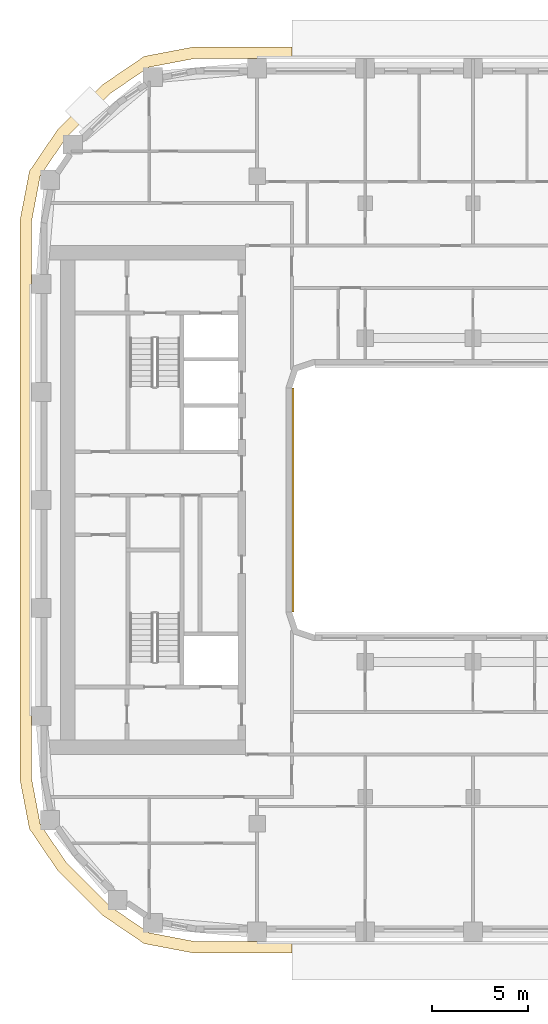
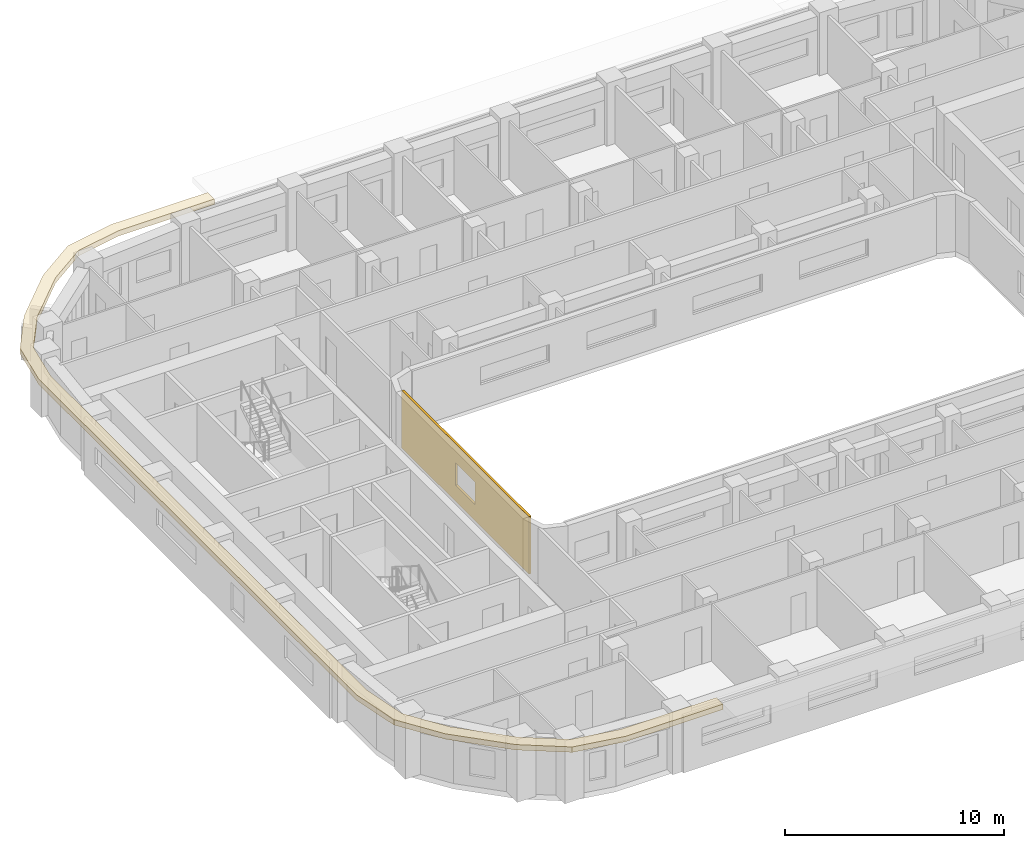
# One storey, part 14 of 22: 2 coverings.
"""IFC4 building model written with IfcOpenShell, lengths in metres."""

from ifc_helpers import new_model, si_unit, direction, frame, origin, place, context, subcontext, project, spatial, polyline, outline, extrude, material, layer, layer_set, type_object, element, save


model = new_model("IFC4")

# Units and contexts
model_context = context("Model", 3, precision=1e-05, world=origin(), true_north=direction((0.0, 1.0)))
body_context = subcontext(model_context, "Body", "Model", "MODEL_VIEW")
ifc_project = project(units=[si_unit("LENGTHUNIT", "METRE"), si_unit("AREAUNIT", "SQUARE_METRE"), si_unit("VOLUMEUNIT", "CUBIC_METRE"), si_unit("PLANEANGLEUNIT", "RADIAN"), si_unit("MASSUNIT", "GRAM", prefix="KILO")], contexts=[model_context])

# Site, building, storey
site_placement = place(None, origin())
site = spatial("IfcSite", under=ifc_project, at=site_placement, CompositionType="ELEMENT")
building_placement = place(site_placement, origin())
building = spatial("IfcBuilding", under=site, at=building_placement, Name="Kiln Ring Residences", CompositionType="ELEMENT")
storey_placement = place(building_placement, frame((0.0, 0.0, 167.60009765625)))
storey = spatial("IfcBuildingStorey", under=building, at=storey_placement, Name="L43", CompositionType="ELEMENT", Elevation=167.60009765625)

# Coverings
ifc_material_1 = material(Name="Brick masonry, dark clay brick", Category="masonry")
ifc_layer_1 = layer(ifc_material_1, 0.1201171875)
ifc_layer_set_1 = layer_set([ifc_layer_1], Name="RAINSCREEN PANEL 120")
covering_type_1 = type_object("IfcCoveringType", Name="RAINSCREEN PANEL 120", PredefinedType="CLADDING", material=ifc_layer_set_1)
covering_1_placement = place(storey_placement, frame((-14.93994140625, -5.800048828125, 0.0), z_axis=(0.0, 0.0, 1.0), x_axis=(0.0, 1.0, 0.0)))
element("IfcCovering", 1, at=covering_1_placement, inside=storey, type_object=covering_type_1, Name="RAINSCREEN L43", PredefinedType="CLADDING", context=body_context, shape_type="SweptSolid", body=[
    extrude(outline(polyline([(0.0, 0.0), (11.60009765625, 0.0), (11.60009765625, 3.199951171875), (0.0, 3.199951171875), (0.0, 0.0)]), holes=[polyline([(4.89990234375, 2.14990234375), (4.89990234375, 0.89990234375), (6.699951171875, 0.89990234375), (6.699951171875, 2.14990234375), (4.89990234375, 2.14990234375)])]), frame((0.0, 0.06005859375, 0.0), z_axis=(0.0, -1.0, 0.0), x_axis=(1.0, 0.0, 0.0)), (0.0, 0.0, 1.0), 0.1201171875),
])
ifc_material_2 = material(Name="Black powder-coated steel", Category="steel")
ifc_layer_2 = layer(ifc_material_2, 0.300048828125)
ifc_layer_set_2 = layer_set([ifc_layer_2], Name="SUNSHADE FIN 600")
covering_type_2 = type_object("IfcCoveringType", Name="SUNSHADE FIN 600", PredefinedType="CLADDING", material=ifc_layer_set_2)
covering_2_placement = place(storey_placement, frame((0.0, 0.0, 3.199951171875)))
element("IfcCovering", 2, at=covering_2_placement, inside=storey, type_object=covering_type_2, Name="SUNSHADE FIN L43", PredefinedType="CLADDING", context=body_context, shape_type="SweptSolid", body=[
    extrude(outline(polyline([(-29.10009765625, -14.50390625), (-28.613525390625, -17.05419921875), (-27.154296875, -19.201416015625), (-24.801513671875, -21.55419921875), (-22.654052734375, -23.013671875), (-20.10400390625, -23.5), (-15.0, -23.5), (-15.0, -22.89990234375), (-20.04736328125, -22.89990234375), (-22.419677734375, -22.447509765625), (-24.417236328125, -21.08984375), (-26.68994140625, -18.817138671875), (-28.047607421875, -16.819580078125), (-28.5, -14.447265625), (-28.5, 14.447265625), (-28.047607421875, 16.819580078125), (-26.68994140625, 18.817138671875), (-24.417236328125, 21.08984375), (-22.419677734375, 22.447509765625), (-20.04736328125, 22.89990234375), (-15.0, 22.89990234375), (-15.0, 23.5), (-20.10400390625, 23.5), (-22.654052734375, 23.013671875), (-24.801513671875, 21.55419921875), (-27.154296875, 19.201416015625), (-28.613525390625, 17.05419921875), (-29.10009765625, 14.50390625), (-29.10009765625, -14.50390625)])), origin(), (0.0, 0.0, 1.0), 0.300048828125),
])

save(model, "model.ifc")
